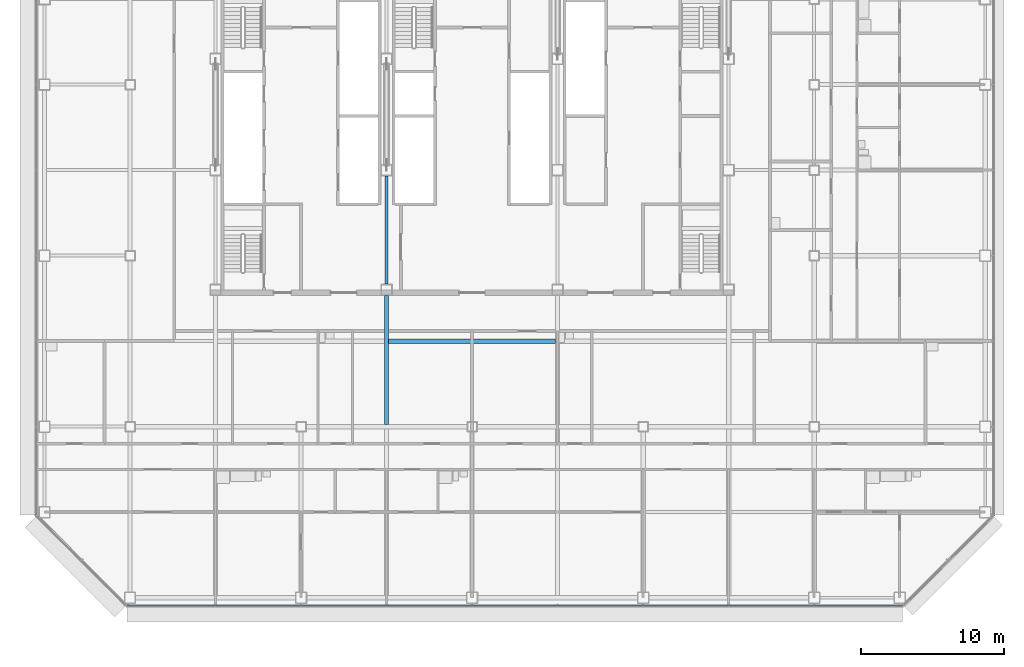
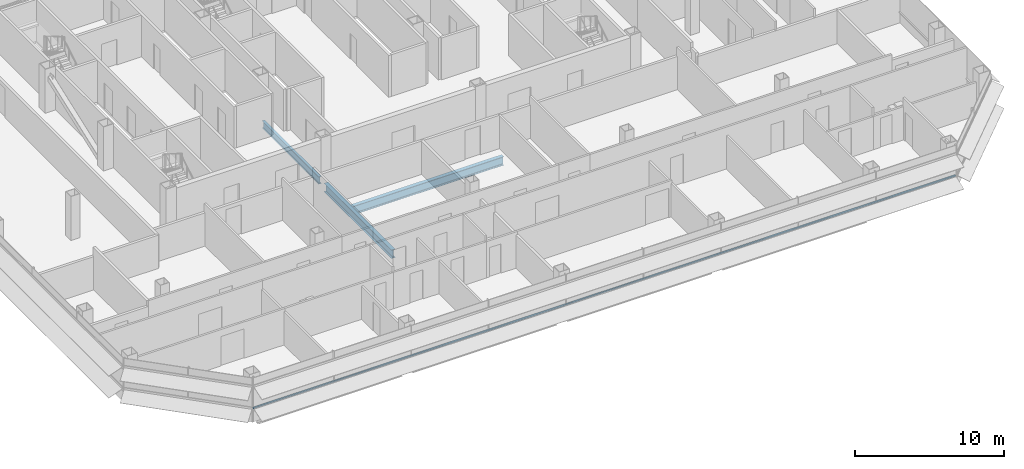
# One storey, part 7 of 25: 3 beams, 1 member, 1 element without a shape of its own.
"""IFC4 building model written with IfcOpenShell, lengths in metres."""

import ifcopenshell
import ifcopenshell.guid

model = None  # the IFC model being written
_history = None  # IfcOwnerHistory: only IFC2X3 demands one
_inside = {}  # id of a spatial element -> (the spatial element, [elements in it])
_under = {}  # id of a project, library or spatial element -> (it, [spatial elements below it])
_declared = {}  # id of a project -> (the project, [libraries it declares])
_typed = {}  # id of a type object -> (the type object, [elements of that type])
_made_of = {}  # id of a material, layer set ... -> (it, [elements and type objects made of it])


def new_model(schema):
    """Start an empty IFC model of exactly this schema.

    Asked for "IFC4X3", IfcOpenShell would pick the latest addendum, in which some entities
    have other attributes; the version numbers below select the first issue.
    IFC2X3 requires an IfcOwnerHistory on every rooted entity: one is made here for all.
    """
    global model, _history
    if schema == "IFC4X3":
        model = ifcopenshell.file(schema_version=(4, 3, 0, 0))
    else:
        model = ifcopenshell.file(schema=schema)
    _inside.clear()
    _under.clear()
    _declared.clear()
    _typed.clear()
    _made_of.clear()
    _history = None
    if model.schema == "IFC2X3":
        org = make("IfcOrganization", Name="unknown")
        user = make(
            "IfcPersonAndOrganization",
            ThePerson=make("IfcPerson", FamilyName="unknown"),
            TheOrganization=org,
        )
        app = make(
            "IfcApplication",
            ApplicationDeveloper=org,
            Version="unknown",
            ApplicationFullName="unknown",
            ApplicationIdentifier="unknown",
        )
        _history = make(
            "IfcOwnerHistory",
            OwningUser=user,
            OwningApplication=app,
            ChangeAction="ADDED",
            CreationDate=0,
        )
    return model


def make(cls, **values):
    """One entity of the class cls with the attributes given. An attribute that is None is left unset."""
    return model.create_entity(
        cls, **{name: value for name, value in values.items() if value is not None}
    )


def rooted(cls, **values):
    """An entity with a GlobalId (a new one), such as an element, a storey or a relation."""
    return make(cls, GlobalId=ifcopenshell.guid.new(), OwnerHistory=_history, **values)


def si_unit(unit_type, name, prefix=None):
    """IfcSIUnit, for example si_unit("LENGTHUNIT", "METRE", prefix="MILLI")."""
    return make("IfcSIUnit", UnitType=unit_type, Prefix=prefix, Name=name)


def assignment(units):
    """IfcUnitAssignment: the units of a project."""
    return None if units is None else make("IfcUnitAssignment", Units=units)


def point(xyz):
    """IfcCartesianPoint."""
    return None if xyz is None else make("IfcCartesianPoint", Coordinates=xyz)


def direction(xyz):
    """IfcDirection."""
    return None if xyz is None else make("IfcDirection", DirectionRatios=xyz)


def frame(location, z_axis=None, x_axis=None):
    """IfcAxis2Placement3D, a coordinate frame: its origin and axes. An axis left out is left unset."""
    return make(
        "IfcAxis2Placement3D",
        Location=point(location),
        Axis=direction(z_axis),
        RefDirection=direction(x_axis),
    )


def frame_2d(location, x_axis=None):
    """IfcAxis2Placement2D, a coordinate frame in the plane: its origin and x axis."""
    return make(
        "IfcAxis2Placement2D", Location=point(location), RefDirection=direction(x_axis)
    )


def origin():
    """The frame at (0, 0, 0) with its axes left unset."""
    return frame((0.0, 0.0, 0.0))


def origin_2d():
    """The frame at (0, 0) in the plane with its x axis left unset."""
    return frame_2d((0.0, 0.0))


def place(relative_to, where):
    """IfcLocalPlacement: puts the frame where relative to a parent placement (None: the world)."""
    return make(
        "IfcLocalPlacement", PlacementRelTo=relative_to, RelativePlacement=where
    )


def context(
    kind, dimensions, precision=None, world=None, true_north=None, identifier=None
):
    """IfcGeometricRepresentationContext, for example the 3D "Model" context."""
    return make(
        "IfcGeometricRepresentationContext",
        ContextIdentifier=identifier,
        ContextType=kind,
        CoordinateSpaceDimension=dimensions,
        Precision=precision,
        WorldCoordinateSystem=world,
        TrueNorth=true_north,
    )


def subcontext(parent, identifier, kind, view, scale=None):
    """IfcGeometricRepresentationSubContext, for example "Body" below "Model"."""
    return make(
        "IfcGeometricRepresentationSubContext",
        ContextIdentifier=identifier,
        ContextType=kind,
        ParentContext=parent,
        TargetScale=scale,
        TargetView=view,
    )


def project(units=None, contexts=None):
    """IfcProject with its units and contexts."""
    return rooted(
        "IfcProject",
        Name="project",
        RepresentationContexts=contexts,
        UnitsInContext=assignment(units),
    )


def spatial(cls, under=None, at=None, **own):
    """A site, building, storey or space (cls), placed at a placement, below another one or the project."""
    s = rooted(cls, ObjectPlacement=at, **own)
    if under is not None:
        _under.setdefault(under.id(), (under, []))[1].append(s)
    return s


def profile(cls, at=None, kind="AREA", **sizes):
    """A parametric profile (cls). Its sizes go by their IFC names, for example OverallWidth=200.0."""
    return make(cls, ProfileType=kind, Position=at, **sizes)


def rectangle(**sizes):
    """IfcRectangleProfileDef."""
    return profile("IfcRectangleProfileDef", **sizes)


def i_section(**sizes):
    """IfcIShapeProfileDef."""
    return profile("IfcIShapeProfileDef", **sizes)


def extrude(swept, where, along, depth):
    """IfcExtrudedAreaSolid: the profile swept, set in the frame where, extruded along a direction by depth."""
    return make(
        "IfcExtrudedAreaSolid",
        SweptArea=swept,
        Position=where,
        ExtrudedDirection=direction(along),
        Depth=depth,
    )


def shape(context_of_items, identifier, shape_type, items):
    """IfcShapeRepresentation: the items that make up one representation, for example the "Body"."""
    return make(
        "IfcShapeRepresentation",
        ContextOfItems=context_of_items,
        RepresentationIdentifier=identifier,
        RepresentationType=shape_type,
        Items=items,
    )


def material(Name=None, Category=None):
    """IfcMaterial."""
    return make("IfcMaterial", Name=Name, Category=Category)


def material_profile(
    of_material, cross_section, Name=None, Category=None, Priority=None
):
    """IfcMaterialProfile: a cross section and its material."""
    return make(
        "IfcMaterialProfile",
        Name=Name,
        Material=of_material,
        Profile=cross_section,
        Priority=Priority,
        Category=Category,
    )


def profile_set(profiles, Name=None, composite=None):
    """IfcMaterialProfileSet."""
    return make(
        "IfcMaterialProfileSet",
        Name=Name,
        MaterialProfiles=profiles,
        CompositeProfile=composite,
    )


def made_of(thing, what):
    """Note that an element or type object is made of a material, layer set ...; save() writes the relation."""
    if what is not None:
        _made_of.setdefault(what.id(), (what, []))[1].append(thing)
    return thing


def type_object(cls, material=None, **own):
    """A type object (cls), such as IfcWallType, which elements share."""
    return made_of(rooted(cls, **own), material)


def element(
    cls,
    number,
    at=None,
    inside=None,
    cuts=None,
    type_object=None,
    material=None,
    context=None,
    identifier="Body",
    shape_type=None,
    held_by="IfcProductDefinitionShape",
    body=None,
    shapes=None,
    **own,
):
    """One element of the class cls, such as IfcWall. Its Tag is "e" and its number.

    at: its placement. inside: the storey or other place that contains it. cuts: it is an
    opening in that element (IfcRelVoidsElement). A single representation is given by context,
    identifier, shape_type and body (its items); several are given by shapes. held_by: the class
    of the entity that holds the representations. save() writes the other relations.
    """
    e = rooted(cls, Tag="e%d" % number, ObjectPlacement=at, **own)
    if body is not None:
        shapes = [shape(context, identifier, shape_type, body)]
    if shapes is not None:
        e.Representation = make(held_by, Representations=shapes)
    if inside is not None:
        _inside.setdefault(inside.id(), (inside, []))[1].append(e)
    if cuts is not None:
        rooted(
            "IfcRelVoidsElement", RelatingBuildingElement=cuts, RelatedOpeningElement=e
        )
    if type_object is not None:
        _typed.setdefault(type_object.id(), (type_object, []))[1].append(e)
    return made_of(e, material)


def aggregate(whole, parts):
    """IfcRelAggregates: a whole, such as a stair, and the parts it consists of."""
    return rooted("IfcRelAggregates", RelatingObject=whole, RelatedObjects=parts)


def save(model, path):
    """Write the relations noted so far, then the file.

    IfcRelAggregates (storeys below a building ...), IfcRelContainedInSpatialStructure (elements
    in a storey), IfcRelDefinesByType, IfcRelAssociatesMaterial and IfcRelDeclares: one each for
    every whole, place, type object, material and project.
    """
    for whole, parts in _under.values():
        aggregate(whole, parts)
    for where, things in _inside.values():
        rooted(
            "IfcRelContainedInSpatialStructure",
            RelatedElements=things,
            RelatingStructure=where,
        )
    for kind, things in _typed.values():
        rooted("IfcRelDefinesByType", RelatedObjects=things, RelatingType=kind)
    for what, things in _made_of.values():
        rooted("IfcRelAssociatesMaterial", RelatedObjects=things, RelatingMaterial=what)
    for by, libraries in _declared.values():
        rooted("IfcRelDeclares", RelatingContext=by, RelatedDefinitions=libraries)
    model.write(path)


model = new_model("IFC4")

# Units and contexts
model_context = context("Model", 3, precision=1e-05, world=origin(), true_north=direction((0.0, 1.0)))
body_context = subcontext(model_context, "Body", "Model", "MODEL_VIEW")
ifc_project = project(units=[si_unit("LENGTHUNIT", "METRE"), si_unit("AREAUNIT", "SQUARE_METRE"), si_unit("VOLUMEUNIT", "CUBIC_METRE"), si_unit("PLANEANGLEUNIT", "RADIAN"), si_unit("MASSUNIT", "GRAM", prefix="KILO")], contexts=[model_context])

# Site, building, storey
site_placement = place(None, origin())
site = spatial("IfcSite", under=ifc_project, at=site_placement, CompositionType="ELEMENT")
building_placement = place(site_placement, origin())
building = spatial("IfcBuilding", under=site, at=building_placement, Name="Sorahane Residences", CompositionType="ELEMENT")
storey_placement = place(building_placement, frame((0.0, 0.0, 143.800048828125)))
storey = spatial("IfcBuildingStorey", under=building, at=storey_placement, Name="L32", CompositionType="ELEMENT", Elevation=143.800048828125)

# Curtain wall, member
ifc_material_1 = material(Name="Dark low-e glass and black anodised aluminium", Category="aluminium")
curtain_wall_type = type_object("IfcCurtainWallType", Name="Curtain wall CW-1 Typical unitised wall", PredefinedType="NOTDEFINED", material=ifc_material_1)
curtain_wall_placement = place(storey_placement, origin())
curtain_wall = element("IfcCurtainWall", 1, at=curtain_wall_placement, inside=storey, type_object=curtain_wall_type, Name="CW-1 curtain wall L32 S1", PredefinedType="NOTDEFINED")
ifc_material_2 = material(Name="Black anodised aluminium", Category="aluminium")
ifc_material_profile_1 = material_profile(ifc_material_2, rectangle(XDim=0.10009765625, YDim=0.06005859375, at=origin_2d()), Name="Curtain wall transom CW-1 black anodised aluminium 60x100")
ifc_profile_set_1 = profile_set([ifc_material_profile_1], Name="Black anodised aluminium")
member_type = type_object("IfcMemberType", Name="Curtain wall transom CW-1 black anodised aluminium 60x100", PredefinedType="USERDEFINED", material=ifc_profile_set_1)
member_placement = place(storey_placement, frame((-0.198486328125, -0.530029296875, 0.89990234375), z_axis=(1.0, 0.0, 0.0), x_axis=(0.0, 1.0, 0.0)))
member = element("IfcMember", 2, at=member_placement, type_object=member_type, Name="CW-1 transom L32 S1", ObjectType="TRANSOM", PredefinedType="USERDEFINED", context=body_context, shape_type="SweptSolid", body=[
    extrude(rectangle(XDim=0.10009765625, YDim=0.06005859375, at=origin_2d()), origin(), (0.0, 0.0, 1.0), 54.39697265625),
])
aggregate(curtain_wall, [member])

# Beams
ifc_material_3 = material(Name="Steel Q355B", Category="steel")
ifc_material_profile_2 = material_profile(ifc_material_3, i_section(OverallWidth=0.199951171875, OverallDepth=0.60009765625, WebThickness=0.010986328125, FlangeThickness=0.01708984375, FilletRadius=0.02392578125, at=origin_2d()), Name="HN 600x200x11x17")
ifc_profile_set_2 = profile_set([ifc_material_profile_2], Name="Steel Q355B")
beam_type_1 = type_object("IfcBeamType", Name="Steel floor beam HN 600x200x11x17 Q355B", PredefinedType="BEAM", material=ifc_profile_set_2)
beam_1_placement = place(storey_placement, frame((18.0, 22.0, -0.47998046875), z_axis=(0.0, 1.0, 0.0), x_axis=(-1.0, 0.0, 0.0)))
element("IfcBeam", 3, at=beam_1_placement, inside=storey, type_object=beam_type_1, Name="Beam L32 038", PredefinedType="BEAM", context=body_context, shape_type="SweptSolid", body=[
    extrude(i_section(OverallWidth=0.199951171875, OverallDepth=0.60009765625, WebThickness=0.010986328125, FlangeThickness=0.01708984375, FilletRadius=0.02392578125, at=origin_2d()), origin(), (0.0, 0.0, 1.0), 7.60009765625),
])
ifc_material_4 = material(Name="Steel Q355B", Category="steel")
ifc_material_profile_3 = material_profile(ifc_material_4, i_section(OverallWidth=0.300048828125, OverallDepth=0.699951171875, WebThickness=0.012939453125, FlangeThickness=0.02392578125, FilletRadius=0.028076171875, at=origin_2d()), Name="HN 700x300x13x24")
ifc_profile_set_3 = profile_set([ifc_material_profile_3], Name="Steel Q355B")
beam_type_2 = type_object("IfcBeamType", Name="Steel floor beam HN 700x300x13x24 Q355B", PredefinedType="BEAM", material=ifc_profile_set_3)
beam_2_placement = place(storey_placement, frame((18.0, 12.14990234375, -0.530029296875), z_axis=(0.0, 1.0, 0.0), x_axis=(-1.0, 0.0, 0.0)))
element("IfcBeam", 4, at=beam_2_placement, inside=storey, type_object=beam_type_2, Name="Beam L32 037", PredefinedType="BEAM", context=body_context, shape_type="SweptSolid", body=[
    extrude(i_section(OverallWidth=0.300048828125, OverallDepth=0.699951171875, WebThickness=0.012939453125, FlangeThickness=0.02392578125, FilletRadius=0.028076171875, at=origin_2d()), origin(), (0.0, 0.0, 1.0), 9.050048828125),
])
beam_3_placement = place(storey_placement, frame((18.14990234375, 18.0, -0.530029296875), z_axis=(1.0, 0.0, 0.0), x_axis=(0.0, 1.0, 0.0)))
element("IfcBeam", 5, at=beam_3_placement, inside=storey, type_object=beam_type_2, Name="Beam L32 081", PredefinedType="BEAM", context=body_context, shape_type="SweptSolid", body=[
    extrude(i_section(OverallWidth=0.300048828125, OverallDepth=0.699951171875, WebThickness=0.012939453125, FlangeThickness=0.02392578125, FilletRadius=0.028076171875, at=origin_2d()), origin(), (0.0, 0.0, 1.0), 11.7001953125),
])

save(model, "model.ifc")
